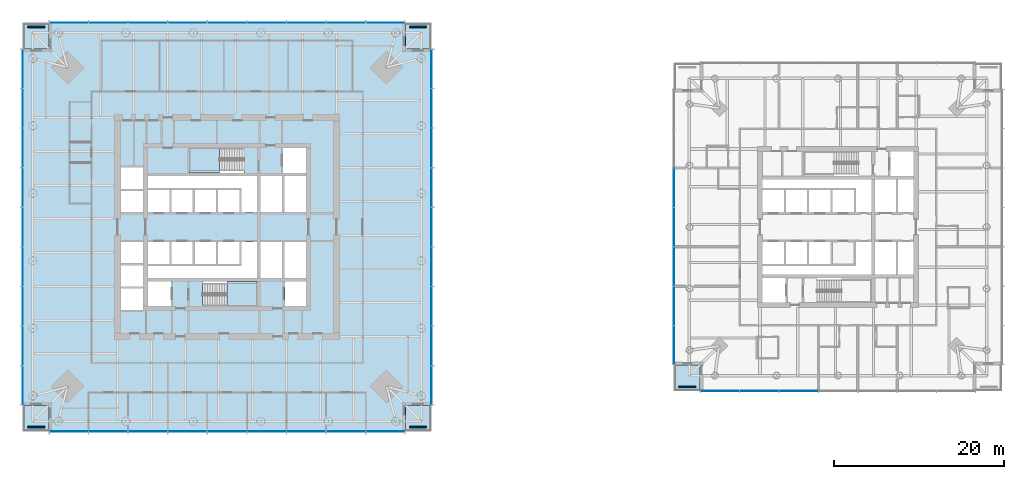
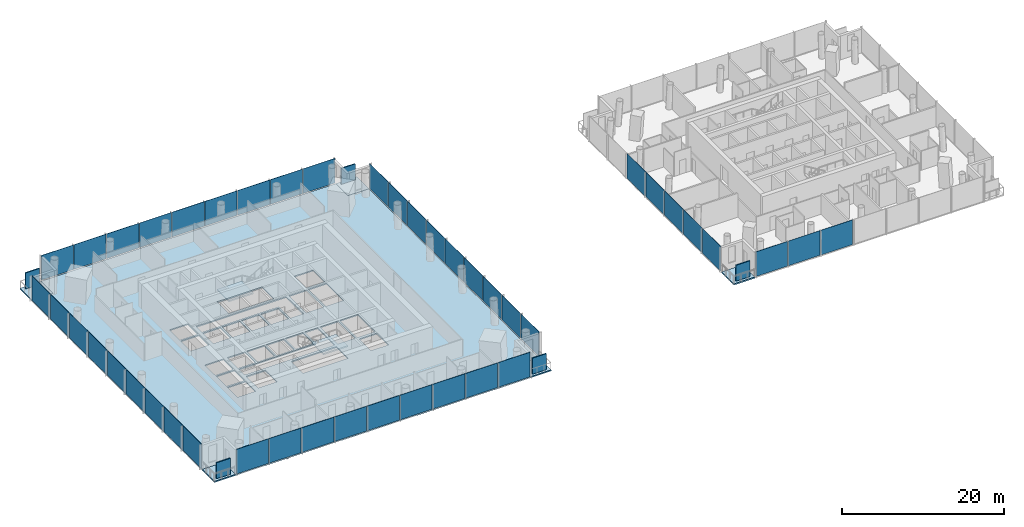
# One storey, part 6 of 18: 49 plates, 8 slabs, 8 elements without a shape of their own.
"""IFC4 building model written with IfcOpenShell, lengths in metres."""

from ifc_helpers import new_model, si_unit, direction, frame, origin, origin_2d, place, context, subcontext, project, spatial, polyline, rectangle, outline, extrude, material, layer, layer_set, type_object, element, aggregate, save


model = new_model("IFC4")

# Units and contexts
model_context = context("Model", 3, precision=1e-05, world=origin(), true_north=direction((0.0, 1.0)))
body_context = subcontext(model_context, "Body", "Model", "MODEL_VIEW")
ifc_project = project(units=[si_unit("LENGTHUNIT", "METRE"), si_unit("AREAUNIT", "SQUARE_METRE"), si_unit("VOLUMEUNIT", "CUBIC_METRE"), si_unit("PLANEANGLEUNIT", "RADIAN"), si_unit("MASSUNIT", "GRAM", prefix="KILO")], contexts=[model_context])

# Site, building, storey
site_placement = place(None, origin())
site = spatial("IfcSite", under=ifc_project, at=site_placement, CompositionType="ELEMENT")
building_placement = place(site_placement, origin())
building = spatial("IfcBuilding", under=site, at=building_placement, Name="Ostroluk Exchange", CompositionType="ELEMENT")
storey_placement = place(building_placement, frame((0.0, 0.0, 55.199951171875)))
storey = spatial("IfcBuildingStorey", under=building, at=storey_placement, Name="L13", CompositionType="ELEMENT", Elevation=55.199951171875)

# Curtain wall, plates
ifc_material_1 = material(Name="Laminated clear glass", Category="glass")
curtain_wall_type_1 = type_object("IfcCurtainWallType", Name="Hotel guest floor facade", PredefinedType="USERDEFINED", material=ifc_material_1)
curtain_wall_1_placement = place(storey_placement, origin())
curtain_wall_1 = element("IfcCurtainWall", 1, at=curtain_wall_1_placement, inside=storey, type_object=curtain_wall_type_1, Name="Hotel tower south facade L13", ObjectType="UNITISED CURTAIN WALL", PredefinedType="USERDEFINED")
ifc_material_2 = material(Name="Laminated clear glass", Category="glass")
ifc_layer_1 = layer(ifc_material_2, 0.0400390625)
ifc_layer_set_1 = layer_set([ifc_layer_1], Name="Acoustic laminated glazing 40")
plate_type_1 = type_object("IfcPlateType", Name="Acoustic laminated glazing 40", PredefinedType="CURTAIN_PANEL", material=ifc_layer_set_1)
plate_1_placement = place(storey_placement, frame((103.09130859375, 26.675048828125, 0.080078125), z_axis=(0.0, 0.0, 1.0), x_axis=(1.0, 0.0, 0.0)))
plate_1 = element("IfcPlate", 2, at=plate_1_placement, type_object=plate_type_1, Name="CW-H1 panel 1.1", PredefinedType="CURTAIN_PANEL", context=body_context, shape_type="SweptSolid", body=[
    extrude(rectangle(XDim=4.52294921875, YDim=0.0400390625, at=origin_2d()), origin(), (0.0, 0.0, 1.0), 3.719970703125),
])
plate_2_placement = place(storey_placement, frame((107.71435546875, 26.675048828125, 0.080078125), z_axis=(0.0, 0.0, 1.0), x_axis=(1.0, 0.0, 0.0)))
plate_2 = element("IfcPlate", 3, at=plate_2_placement, type_object=plate_type_1, Name="CW-H1 panel 2.1", PredefinedType="CURTAIN_PANEL", context=body_context, shape_type="SweptSolid", body=[
    extrude(rectangle(XDim=4.562744140625, YDim=0.0400390625, at=origin_2d()), origin(), (0.0, 0.0, 1.0), 3.719970703125),
])
plate_3_placement = place(storey_placement, frame((112.357177734375, 26.675048828125, 0.080078125), z_axis=(0.0, 0.0, 1.0), x_axis=(1.0, 0.0, 0.0)))
plate_3 = element("IfcPlate", 4, at=plate_3_placement, type_object=plate_type_1, Name="CW-H1 panel 3.1", PredefinedType="CURTAIN_PANEL", context=body_context, shape_type="SweptSolid", body=[
    extrude(rectangle(XDim=4.562744140625, YDim=0.0400390625, at=origin_2d()), origin(), (0.0, 0.0, 1.0), 3.719970703125),
])
aggregate(curtain_wall_1, [plate_1, plate_2, plate_3])

curtain_wall_2_placement = place(storey_placement, origin())
curtain_wall_2 = element("IfcCurtainWall", 5, at=curtain_wall_2_placement, inside=storey, type_object=curtain_wall_type_1, Name="Hotel tower west facade L13", ObjectType="UNITISED CURTAIN WALL", PredefinedType="USERDEFINED")
plate_4_placement = place(storey_placement, frame((97.675048828125, 50.642822265625, 0.080078125), z_axis=(0.0, 0.0, 1.0), x_axis=(0.0, -1.0, 0.0)))
plate_4 = element("IfcPlate", 6, at=plate_4_placement, type_object=plate_type_1, Name="CW-H1 panel 3.1", PredefinedType="CURTAIN_PANEL", context=body_context, shape_type="SweptSolid", body=[
    extrude(rectangle(XDim=4.562744140625, YDim=0.0400390625, at=origin_2d()), origin(), (0.0, 0.0, 1.0), 3.719970703125),
])
plate_5_placement = place(storey_placement, frame((97.675048828125, 46.0, 0.080078125), z_axis=(0.0, 0.0, 1.0), x_axis=(0.0, -1.0, 0.0)))
plate_5 = element("IfcPlate", 7, at=plate_5_placement, type_object=plate_type_1, Name="CW-H1 panel 4.1", PredefinedType="CURTAIN_PANEL", context=body_context, shape_type="SweptSolid", body=[
    extrude(rectangle(XDim=4.562744140625, YDim=0.0400390625, at=origin_2d()), origin(), (0.0, 0.0, 1.0), 3.719970703125),
])
plate_6_placement = place(storey_placement, frame((97.675048828125, 41.357177734375, 0.080078125), z_axis=(0.0, 0.0, 1.0), x_axis=(0.0, -1.0, 0.0)))
plate_6 = element("IfcPlate", 8, at=plate_6_placement, type_object=plate_type_1, Name="CW-H1 panel 5.1", PredefinedType="CURTAIN_PANEL", context=body_context, shape_type="SweptSolid", body=[
    extrude(rectangle(XDim=4.562744140625, YDim=0.0400390625, at=origin_2d()), origin(), (0.0, 0.0, 1.0), 3.719970703125),
])
plate_7_placement = place(storey_placement, frame((97.675048828125, 36.71435546875, 0.080078125), z_axis=(0.0, 0.0, 1.0), x_axis=(0.0, -1.0, 0.0)))
plate_7 = element("IfcPlate", 9, at=plate_7_placement, type_object=plate_type_1, Name="CW-H1 panel 6.1", PredefinedType="CURTAIN_PANEL", context=body_context, shape_type="SweptSolid", body=[
    extrude(rectangle(XDim=4.562744140625, YDim=0.0400390625, at=origin_2d()), origin(), (0.0, 0.0, 1.0), 3.719970703125),
])
plate_8_placement = place(storey_placement, frame((97.675048828125, 32.09130859375, 0.080078125), z_axis=(0.0, 0.0, 1.0), x_axis=(0.0, -1.0, 0.0)))
plate_8 = element("IfcPlate", 10, at=plate_8_placement, type_object=plate_type_1, Name="CW-H1 panel 7.1", PredefinedType="CURTAIN_PANEL", context=body_context, shape_type="SweptSolid", body=[
    extrude(rectangle(XDim=4.52294921875, YDim=0.0400390625, at=origin_2d()), origin(), (0.0, 0.0, 1.0), 3.719970703125),
])
aggregate(curtain_wall_2, [plate_4, plate_5, plate_6, plate_7, plate_8])

# Slabs
ifc_material_3 = material(Name="Concrete C35/45", Category="concrete")
ifc_layer_2 = layer(ifc_material_3, 0.179931640625)
ifc_layer_set_2 = layer_set([ifc_layer_2], Name="Balcony slab 180")
slab_type_1 = type_object("IfcSlabType", Name="Balcony slab 180", PredefinedType="USERDEFINED", material=ifc_layer_set_2)
slab_1_placement = place(storey_placement, frame((0.0, 0.0, -0.179931640625)))
element("IfcSlab", 11, at=slab_1_placement, inside=storey, type_object=slab_type_1, Name="Office tower SE corner balcony L13", ObjectType="BALCONY", PredefinedType="USERDEFINED", context=body_context, shape_type="SweptSolid", body=[
    extrude(outline(polyline([(66.0, 22.0), (69.0, 22.0), (69.0, 25.0), (66.0, 25.0), (66.0, 22.0)])), origin(), (0.0, 0.0, 1.0), 0.179931640625),
])
slab_2_placement = place(storey_placement, frame((0.0, 0.0, -0.179931640625)))
element("IfcSlab", 12, at=slab_2_placement, inside=storey, type_object=slab_type_1, Name="Office tower NE corner balcony L13", ObjectType="BALCONY", PredefinedType="USERDEFINED", context=body_context, shape_type="SweptSolid", body=[
    extrude(outline(polyline([(66.0, 67.0), (69.0, 67.0), (69.0, 70.0), (66.0, 70.0), (66.0, 67.0)])), origin(), (0.0, 0.0, 1.0), 0.179931640625),
])
slab_3_placement = place(storey_placement, frame((0.0, 0.0, -0.179931640625)))
element("IfcSlab", 13, at=slab_3_placement, inside=storey, type_object=slab_type_1, Name="Office tower NW corner balcony L13", ObjectType="BALCONY", PredefinedType="USERDEFINED", context=body_context, shape_type="SweptSolid", body=[
    extrude(outline(polyline([(21.0, 67.0), (24.0, 67.0), (24.0, 70.0), (21.0, 70.0), (21.0, 67.0)])), origin(), (0.0, 0.0, 1.0), 0.179931640625),
])
slab_4_placement = place(storey_placement, frame((0.0, 0.0, -0.179931640625)))
element("IfcSlab", 14, at=slab_4_placement, inside=storey, type_object=slab_type_1, Name="Office tower SW corner balcony L13", ObjectType="BALCONY", PredefinedType="USERDEFINED", context=body_context, shape_type="SweptSolid", body=[
    extrude(outline(polyline([(21.0, 22.0), (24.0, 22.0), (24.0, 25.0), (21.0, 25.0), (21.0, 22.0)])), origin(), (0.0, 0.0, 1.0), 0.179931640625),
])
ifc_material_4 = material(Name="Concrete C35/45", Category="concrete")
ifc_layer_3 = layer(ifc_material_4, 0.199951171875)
ifc_layer_set_3 = layer_set([ifc_layer_3], Name="Balcony slab 200")
slab_type_2 = type_object("IfcSlabType", Name="Balcony slab 200", PredefinedType="USERDEFINED", material=ifc_layer_set_3)
slab_5_placement = place(storey_placement, frame((0.0, 0.0, -0.199951171875)))
element("IfcSlab", 15, at=slab_5_placement, inside=storey, type_object=slab_type_2, Name="Hotel tower SW corner balcony L13", ObjectType="BALCONY", PredefinedType="USERDEFINED", context=body_context, shape_type="SweptSolid", body=[
    extrude(outline(polyline([(97.75, 26.75), (100.75, 26.75), (100.75, 29.75), (97.75, 29.75), (97.75, 26.75)])), origin(), (0.0, 0.0, 1.0), 0.199951171875),
])

# Plates
ifc_material_5 = material(Name="Steel S355 trellis with planting", Category="steel")
ifc_layer_4 = layer(ifc_material_5, 0.14990234375)
ifc_layer_set_4 = layer_set([ifc_layer_4], Name="Planted screen 150")
plate_type_2 = type_object("IfcPlateType", Name="Planted screen 150", PredefinedType="USERDEFINED", material=ifc_layer_set_4)
for number, where, z_axis, x_axis, name in (
    (16, (67.5, 22.425048828125, 0.0), (0.0, 0.0, 1.0), (1.0, 0.0, 0.0), "Office tower SE planted screen L13"),
    (17, (67.5, 69.574951171875, 0.0), (0.0, 0.0, 1.0), (1.0, 0.0, 0.0), "Office tower NE planted screen L13"),
    (18, (22.5, 69.574951171875, 0.0), (0.0, 0.0, 1.0), (1.0, 0.0, 0.0), "Office tower NW planted screen L13"),
    (19, (22.5, 22.425048828125, 0.0), (0.0, 0.0, 1.0), (1.0, 0.0, 0.0), "Office tower SW planted screen L13"),
    (20, (99.25, 27.175048828125, 0.0), (0.0, 0.0, 1.0), (1.0, 0.0, 0.0), "Hotel tower SW planted screen L13"),
):
    element("IfcPlate", number, at=place(storey_placement, frame(where, z_axis=z_axis, x_axis=x_axis)), inside=storey, type_object=plate_type_2, Name=name, ObjectType="PLANTED SCREEN", PredefinedType="USERDEFINED", context=body_context, shape_type="SweptSolid", body=[
        extrude(rectangle(XDim=2.0, YDim=0.14990234375, at=origin_2d()), origin(), (0.0, 0.0, 1.0), 2.39990234375),
    ])

# Stair, slab
ifc_material_6 = material(Name="Concrete C30/37", Category="concrete")
stair_type = type_object("IfcStairType", Name="Exit stair half turn 3800", PredefinedType="HALF_TURN_STAIR", material=ifc_material_6)
stair_1_placement = place(storey_placement, origin())
stair_1 = element("IfcStair", 21, at=stair_1_placement, inside=storey, type_object=stair_type, Name="Stair T1-S1 L13", PredefinedType="HALF_TURN_STAIR")
ifc_material_7 = material(Name="Concrete C30/37", Category="concrete")
ifc_layer_5 = layer(ifc_material_7, 0.199951171875)
ifc_layer_set_5 = layer_set([ifc_layer_5], Name="Stair landing 200")
slab_type_3 = type_object("IfcSlabType", Name="Stair landing 200", PredefinedType="LANDING", material=ifc_layer_set_5)
slab_6_placement = place(storey_placement, frame((0.0, 0.0, 1.699951171875)))
slab_6 = element("IfcSlab", 22, at=slab_6_placement, type_object=slab_type_3, Name="T1-S1 landing 1", PredefinedType="LANDING", context=body_context, shape_type="SweptSolid", body=[
    extrude(outline(polyline([(45.0, 36.699951171875), (45.0, 39.60009765625), (48.530029296875, 39.60009765625), (48.530029296875, 36.699951171875), (45.0, 36.699951171875)])), origin(), (0.0, 0.0, 1.0), 0.2001953125),
])
aggregate(stair_1, [slab_6])

stair_2_placement = place(storey_placement, origin())
stair_2 = element("IfcStair", 23, at=stair_2_placement, inside=storey, type_object=stair_type, Name="Stair T1-S2 L13", PredefinedType="HALF_TURN_STAIR")
slab_7_placement = place(storey_placement, frame((0.0, 0.0, 1.699951171875)))
slab_7 = element("IfcSlab", 24, at=slab_7_placement, type_object=slab_type_3, Name="T1-S2 landing 1", PredefinedType="LANDING", context=body_context, shape_type="SweptSolid", body=[
    extrude(outline(polyline([(44.1298828125, 52.39990234375), (44.1298828125, 55.300048828125), (40.60009765625, 55.300048828125), (40.60009765625, 52.39990234375), (44.1298828125, 52.39990234375)])), origin(), (0.0, 0.0, 1.0), 0.2001953125),
])
aggregate(stair_2, [slab_7])

# Slab
ifc_material_8 = material(Name="Concrete C35/45", Category="concrete")
ifc_layer_6 = layer(ifc_material_8, 0.179931640625)
ifc_layer_set_6 = layer_set([ifc_layer_6], Name="Tower floor slab 180 composite")
slab_type_4 = type_object("IfcSlabType", Name="Tower floor slab 180 composite", PredefinedType="FLOOR", material=ifc_layer_set_6)
slab_8_placement = place(storey_placement, frame((0.0, 0.0, -0.179931640625)))
element("IfcSlab", 25, at=slab_8_placement, inside=storey, type_object=slab_type_4, Name="Office tower floor slab L13", PredefinedType="FLOOR", context=body_context, shape_type="SweptSolid", body=[
    extrude(outline(polyline([(24.0, 22.0), (66.0, 22.0), (66.0, 25.0), (69.0, 25.0), (69.0, 67.0), (66.0, 67.0), (66.0, 70.0), (24.0, 70.0), (24.0, 67.0), (21.0, 67.0), (21.0, 25.0), (24.0, 25.0), (24.0, 22.0)]), holes=[polyline([(35.699951171875, 36.699951171875), (38.39990234375, 36.699951171875), (38.39990234375, 39.60009765625), (35.699951171875, 39.60009765625), (35.699951171875, 36.699951171875)]), polyline([(42.110107421875, 36.699951171875), (48.530029296875, 36.699951171875), (48.530029296875, 39.60009765625), (42.110107421875, 39.60009765625), (42.110107421875, 36.699951171875)]), polyline([(51.800048828125, 36.699951171875), (54.300048828125, 36.699951171875), (54.300048828125, 39.60009765625), (51.800048828125, 39.60009765625), (51.800048828125, 36.699951171875)]), polyline([(40.60009765625, 52.39990234375), (47.02001953125, 52.39990234375), (47.02001953125, 55.300048828125), (40.60009765625, 55.300048828125), (40.60009765625, 52.39990234375)]), polyline([(51.60009765625, 52.39990234375), (54.300048828125, 52.39990234375), (54.300048828125, 55.300048828125), (51.60009765625, 55.300048828125), (51.60009765625, 52.39990234375)]), polyline([(35.699951171875, 47.75), (38.199951171875, 47.75), (38.199951171875, 50.35009765625), (35.699951171875, 50.35009765625), (35.699951171875, 47.75)]), polyline([(38.449951171875, 47.75), (40.949951171875, 47.75), (40.949951171875, 50.35009765625), (38.449951171875, 50.35009765625), (38.449951171875, 47.75)]), polyline([(41.199951171875, 47.75), (43.699951171875, 47.75), (43.699951171875, 50.35009765625), (41.199951171875, 50.35009765625), (41.199951171875, 47.75)]), polyline([(43.949951171875, 47.75), (46.449951171875, 47.75), (46.449951171875, 50.35009765625), (43.949951171875, 50.35009765625), (43.949951171875, 47.75)]), polyline([(35.699951171875, 41.64990234375), (38.199951171875, 41.64990234375), (38.199951171875, 44.25), (35.699951171875, 44.25), (35.699951171875, 41.64990234375)]), polyline([(38.449951171875, 41.64990234375), (40.949951171875, 41.64990234375), (40.949951171875, 44.25), (38.449951171875, 44.25), (38.449951171875, 41.64990234375)]), polyline([(41.199951171875, 41.64990234375), (43.699951171875, 41.64990234375), (43.699951171875, 44.25), (41.199951171875, 44.25), (41.199951171875, 41.64990234375)]), polyline([(43.949951171875, 41.64990234375), (46.449951171875, 41.64990234375), (46.449951171875, 44.25), (43.949951171875, 44.25), (43.949951171875, 41.64990234375)]), polyline([(48.929931640625, 47.75), (51.489990234375, 47.75), (51.489990234375, 52.0), (48.929931640625, 52.0), (48.929931640625, 47.75)]), polyline([(51.739990234375, 47.75), (54.300048828125, 47.75), (54.300048828125, 52.0), (51.739990234375, 52.0), (51.739990234375, 47.75)]), polyline([(48.929931640625, 40.0), (51.489990234375, 40.0), (51.489990234375, 44.25), (48.929931640625, 44.25), (48.929931640625, 40.0)]), polyline([(51.739990234375, 40.0), (54.300048828125, 40.0), (54.300048828125, 44.25), (51.739990234375, 44.25), (51.739990234375, 40.0)]), polyline([(48.530029296875, 52.0), (48.530029296875, 47.75), (46.699951171875, 47.75), (46.699951171875, 50.60009765625), (35.699951171875, 50.60009765625), (35.699951171875, 52.0), (48.530029296875, 52.0)]), polyline([(35.699951171875, 40.0), (35.699951171875, 41.39990234375), (46.699951171875, 41.39990234375), (46.699951171875, 44.25), (48.530029296875, 44.25), (48.530029296875, 40.0), (35.699951171875, 40.0)]), polyline([(32.5, 36.25), (35.10009765625, 36.25), (35.10009765625, 38.75), (32.5, 38.75), (32.5, 36.25)]), polyline([(32.5, 39.0), (35.10009765625, 39.0), (35.10009765625, 41.5), (32.5, 41.5), (32.5, 39.0)]), polyline([(32.5, 41.75), (35.10009765625, 41.75), (35.10009765625, 44.25), (32.5, 44.25), (32.5, 41.75)]), polyline([(32.5, 47.75), (35.10009765625, 47.75), (35.10009765625, 50.25), (32.5, 50.25), (32.5, 47.75)]), polyline([(32.5, 50.5), (35.10009765625, 50.5), (35.10009765625, 53.0), (32.5, 53.0), (32.5, 50.5)])]), origin(), (0.0, 0.0, 1.0), 0.179931640625),
])

# Curtain wall, plates
ifc_material_9 = material(Name="Laminated clear glass", Category="glass")
curtain_wall_type_2 = type_object("IfcCurtainWallType", Name="Office tower facade", PredefinedType="USERDEFINED", material=ifc_material_9)
curtain_wall_3_placement = place(storey_placement, origin())
curtain_wall_3 = element("IfcCurtainWall", 26, at=curtain_wall_3_placement, inside=storey, type_object=curtain_wall_type_2, Name="Office tower south facade L13", ObjectType="UNITISED CURTAIN WALL", PredefinedType="USERDEFINED")
ifc_material_10 = material(Name="Laminated clear glass", Category="glass")
ifc_layer_7 = layer(ifc_material_10, 0.0439453125)
ifc_layer_set_7 = layer_set([ifc_layer_7], Name="Triple laminated clear glazing 44")
plate_type_3 = type_object("IfcPlateType", Name="Triple laminated clear glazing 44", PredefinedType="CURTAIN_PANEL", material=ifc_layer_set_7)
plate_9_placement = place(storey_placement, frame((26.353271484375, 21.925048828125, 0.080078125), z_axis=(0.0, 0.0, 1.0), x_axis=(1.0, 0.0, 0.0)))
plate_9 = element("IfcPlate", 27, at=plate_9_placement, type_object=plate_type_3, Name="CW-O1 panel 1.1", PredefinedType="CURTAIN_PANEL", context=body_context, shape_type="SweptSolid", body=[
    extrude(rectangle(XDim=4.546630859375, YDim=0.0439453125, at=origin_2d()), origin(), (0.0, 0.0, 1.0), 3.719970703125),
])
plate_10_placement = place(storey_placement, frame((31.0, 21.925048828125, 0.080078125), z_axis=(0.0, 0.0, 1.0), x_axis=(1.0, 0.0, 0.0)))
plate_10 = element("IfcPlate", 28, at=plate_10_placement, type_object=plate_type_3, Name="CW-O1 panel 2.1", PredefinedType="CURTAIN_PANEL", context=body_context, shape_type="SweptSolid", body=[
    extrude(rectangle(XDim=4.586669921875, YDim=0.0439453125, at=origin_2d()), origin(), (0.0, 0.0, 1.0), 3.719970703125),
])
plate_11_placement = place(storey_placement, frame((35.666748046875, 21.925048828125, 0.080078125), z_axis=(0.0, 0.0, 1.0), x_axis=(1.0, 0.0, 0.0)))
plate_11 = element("IfcPlate", 29, at=plate_11_placement, type_object=plate_type_3, Name="CW-O1 panel 3.1", PredefinedType="CURTAIN_PANEL", context=body_context, shape_type="SweptSolid", body=[
    extrude(rectangle(XDim=4.586669921875, YDim=0.0439453125, at=origin_2d()), origin(), (0.0, 0.0, 1.0), 3.719970703125),
])
plate_12_placement = place(storey_placement, frame((40.333251953125, 21.925048828125, 0.080078125), z_axis=(0.0, 0.0, 1.0), x_axis=(1.0, 0.0, 0.0)))
plate_12 = element("IfcPlate", 30, at=plate_12_placement, type_object=plate_type_3, Name="CW-O1 panel 4.1", PredefinedType="CURTAIN_PANEL", context=body_context, shape_type="SweptSolid", body=[
    extrude(rectangle(XDim=4.586669921875, YDim=0.0439453125, at=origin_2d()), origin(), (0.0, 0.0, 1.0), 3.719970703125),
])
plate_13_placement = place(storey_placement, frame((45.0, 21.925048828125, 0.080078125), z_axis=(0.0, 0.0, 1.0), x_axis=(1.0, 0.0, 0.0)))
plate_13 = element("IfcPlate", 31, at=plate_13_placement, type_object=plate_type_3, Name="CW-O1 panel 5.1", PredefinedType="CURTAIN_PANEL", context=body_context, shape_type="SweptSolid", body=[
    extrude(rectangle(XDim=4.586669921875, YDim=0.0439453125, at=origin_2d()), origin(), (0.0, 0.0, 1.0), 3.719970703125),
])
plate_14_placement = place(storey_placement, frame((49.666748046875, 21.925048828125, 0.080078125), z_axis=(0.0, 0.0, 1.0), x_axis=(1.0, 0.0, 0.0)))
plate_14 = element("IfcPlate", 32, at=plate_14_placement, type_object=plate_type_3, Name="CW-O1 panel 6.1", PredefinedType="CURTAIN_PANEL", context=body_context, shape_type="SweptSolid", body=[
    extrude(rectangle(XDim=4.586669921875, YDim=0.0439453125, at=origin_2d()), origin(), (0.0, 0.0, 1.0), 3.719970703125),
])
plate_15_placement = place(storey_placement, frame((54.333251953125, 21.925048828125, 0.080078125), z_axis=(0.0, 0.0, 1.0), x_axis=(1.0, 0.0, 0.0)))
plate_15 = element("IfcPlate", 33, at=plate_15_placement, type_object=plate_type_3, Name="CW-O1 panel 7.1", PredefinedType="CURTAIN_PANEL", context=body_context, shape_type="SweptSolid", body=[
    extrude(rectangle(XDim=4.586669921875, YDim=0.0439453125, at=origin_2d()), origin(), (0.0, 0.0, 1.0), 3.719970703125),
])
plate_16_placement = place(storey_placement, frame((59.0, 21.925048828125, 0.080078125), z_axis=(0.0, 0.0, 1.0), x_axis=(1.0, 0.0, 0.0)))
plate_16 = element("IfcPlate", 34, at=plate_16_placement, type_object=plate_type_3, Name="CW-O1 panel 8.1", PredefinedType="CURTAIN_PANEL", context=body_context, shape_type="SweptSolid", body=[
    extrude(rectangle(XDim=4.586669921875, YDim=0.0439453125, at=origin_2d()), origin(), (0.0, 0.0, 1.0), 3.719970703125),
])
plate_17_placement = place(storey_placement, frame((63.646728515625, 21.925048828125, 0.080078125), z_axis=(0.0, 0.0, 1.0), x_axis=(1.0, 0.0, 0.0)))
plate_17 = element("IfcPlate", 35, at=plate_17_placement, type_object=plate_type_3, Name="CW-O1 panel 9.1", PredefinedType="CURTAIN_PANEL", context=body_context, shape_type="SweptSolid", body=[
    extrude(rectangle(XDim=4.546630859375, YDim=0.0439453125, at=origin_2d()), origin(), (0.0, 0.0, 1.0), 3.719970703125),
])
aggregate(curtain_wall_3, [plate_9, plate_10, plate_11, plate_12, plate_13, plate_14, plate_15, plate_16, plate_17])

curtain_wall_4_placement = place(storey_placement, origin())
curtain_wall_4 = element("IfcCurtainWall", 36, at=curtain_wall_4_placement, inside=storey, type_object=curtain_wall_type_2, Name="Office tower east facade L13", ObjectType="UNITISED CURTAIN WALL", PredefinedType="USERDEFINED")
plate_18_placement = place(storey_placement, frame((69.074951171875, 27.353271484375, 0.080078125), z_axis=(0.0, 0.0, 1.0), x_axis=(0.0, 1.0, 0.0)))
plate_18 = element("IfcPlate", 37, at=plate_18_placement, type_object=plate_type_3, Name="CW-O1 panel 1.1", PredefinedType="CURTAIN_PANEL", context=body_context, shape_type="SweptSolid", body=[
    extrude(rectangle(XDim=4.546630859375, YDim=0.0439453125, at=origin_2d()), origin(), (0.0, 0.0, 1.0), 3.719970703125),
])
plate_19_placement = place(storey_placement, frame((69.074951171875, 32.0, 0.080078125), z_axis=(0.0, 0.0, 1.0), x_axis=(0.0, 1.0, 0.0)))
plate_19 = element("IfcPlate", 38, at=plate_19_placement, type_object=plate_type_3, Name="CW-O1 panel 2.1", PredefinedType="CURTAIN_PANEL", context=body_context, shape_type="SweptSolid", body=[
    extrude(rectangle(XDim=4.586669921875, YDim=0.0439453125, at=origin_2d()), origin(), (0.0, 0.0, 1.0), 3.719970703125),
])
plate_20_placement = place(storey_placement, frame((69.074951171875, 36.666748046875, 0.080078125), z_axis=(0.0, 0.0, 1.0), x_axis=(0.0, 1.0, 0.0)))
plate_20 = element("IfcPlate", 39, at=plate_20_placement, type_object=plate_type_3, Name="CW-O1 panel 3.1", PredefinedType="CURTAIN_PANEL", context=body_context, shape_type="SweptSolid", body=[
    extrude(rectangle(XDim=4.586669921875, YDim=0.0439453125, at=origin_2d()), origin(), (0.0, 0.0, 1.0), 3.719970703125),
])
plate_21_placement = place(storey_placement, frame((69.074951171875, 41.333251953125, 0.080078125), z_axis=(0.0, 0.0, 1.0), x_axis=(0.0, 1.0, 0.0)))
plate_21 = element("IfcPlate", 40, at=plate_21_placement, type_object=plate_type_3, Name="CW-O1 panel 4.1", PredefinedType="CURTAIN_PANEL", context=body_context, shape_type="SweptSolid", body=[
    extrude(rectangle(XDim=4.586669921875, YDim=0.0439453125, at=origin_2d()), origin(), (0.0, 0.0, 1.0), 3.719970703125),
])
plate_22_placement = place(storey_placement, frame((69.074951171875, 46.0, 0.080078125), z_axis=(0.0, 0.0, 1.0), x_axis=(0.0, 1.0, 0.0)))
plate_22 = element("IfcPlate", 41, at=plate_22_placement, type_object=plate_type_3, Name="CW-O1 panel 5.1", PredefinedType="CURTAIN_PANEL", context=body_context, shape_type="SweptSolid", body=[
    extrude(rectangle(XDim=4.586669921875, YDim=0.0439453125, at=origin_2d()), origin(), (0.0, 0.0, 1.0), 3.719970703125),
])
plate_23_placement = place(storey_placement, frame((69.074951171875, 50.666748046875, 0.080078125), z_axis=(0.0, 0.0, 1.0), x_axis=(0.0, 1.0, 0.0)))
plate_23 = element("IfcPlate", 42, at=plate_23_placement, type_object=plate_type_3, Name="CW-O1 panel 6.1", PredefinedType="CURTAIN_PANEL", context=body_context, shape_type="SweptSolid", body=[
    extrude(rectangle(XDim=4.586669921875, YDim=0.0439453125, at=origin_2d()), origin(), (0.0, 0.0, 1.0), 3.719970703125),
])
plate_24_placement = place(storey_placement, frame((69.074951171875, 55.333251953125, 0.080078125), z_axis=(0.0, 0.0, 1.0), x_axis=(0.0, 1.0, 0.0)))
plate_24 = element("IfcPlate", 43, at=plate_24_placement, type_object=plate_type_3, Name="CW-O1 panel 7.1", PredefinedType="CURTAIN_PANEL", context=body_context, shape_type="SweptSolid", body=[
    extrude(rectangle(XDim=4.586669921875, YDim=0.0439453125, at=origin_2d()), origin(), (0.0, 0.0, 1.0), 3.719970703125),
])
plate_25_placement = place(storey_placement, frame((69.074951171875, 60.0, 0.080078125), z_axis=(0.0, 0.0, 1.0), x_axis=(0.0, 1.0, 0.0)))
plate_25 = element("IfcPlate", 44, at=plate_25_placement, type_object=plate_type_3, Name="CW-O1 panel 8.1", PredefinedType="CURTAIN_PANEL", context=body_context, shape_type="SweptSolid", body=[
    extrude(rectangle(XDim=4.586669921875, YDim=0.0439453125, at=origin_2d()), origin(), (0.0, 0.0, 1.0), 3.719970703125),
])
plate_26_placement = place(storey_placement, frame((69.074951171875, 64.646728515625, 0.080078125), z_axis=(0.0, 0.0, 1.0), x_axis=(0.0, 1.0, 0.0)))
plate_26 = element("IfcPlate", 45, at=plate_26_placement, type_object=plate_type_3, Name="CW-O1 panel 9.1", PredefinedType="CURTAIN_PANEL", context=body_context, shape_type="SweptSolid", body=[
    extrude(rectangle(XDim=4.546630859375, YDim=0.0439453125, at=origin_2d()), origin(), (0.0, 0.0, 1.0), 3.719970703125),
])
aggregate(curtain_wall_4, [plate_18, plate_19, plate_20, plate_21, plate_22, plate_23, plate_24, plate_25, plate_26])

curtain_wall_5_placement = place(storey_placement, origin())
curtain_wall_5 = element("IfcCurtainWall", 46, at=curtain_wall_5_placement, inside=storey, type_object=curtain_wall_type_2, Name="Office tower north facade L13", ObjectType="UNITISED CURTAIN WALL", PredefinedType="USERDEFINED")
plate_27_placement = place(storey_placement, frame((63.646728515625, 70.074951171875, 0.080078125), z_axis=(0.0, 0.0, 1.0), x_axis=(-1.0, 0.0, 0.0)))
plate_27 = element("IfcPlate", 47, at=plate_27_placement, type_object=plate_type_3, Name="CW-O1 panel 1.1", PredefinedType="CURTAIN_PANEL", context=body_context, shape_type="SweptSolid", body=[
    extrude(rectangle(XDim=4.546630859375, YDim=0.0439453125, at=origin_2d()), origin(), (0.0, 0.0, 1.0), 3.719970703125),
])
plate_28_placement = place(storey_placement, frame((59.0, 70.074951171875, 0.080078125), z_axis=(0.0, 0.0, 1.0), x_axis=(-1.0, 0.0, 0.0)))
plate_28 = element("IfcPlate", 48, at=plate_28_placement, type_object=plate_type_3, Name="CW-O1 panel 2.1", PredefinedType="CURTAIN_PANEL", context=body_context, shape_type="SweptSolid", body=[
    extrude(rectangle(XDim=4.586669921875, YDim=0.0439453125, at=origin_2d()), origin(), (0.0, 0.0, 1.0), 3.719970703125),
])
plate_29_placement = place(storey_placement, frame((54.333251953125, 70.074951171875, 0.080078125), z_axis=(0.0, 0.0, 1.0), x_axis=(-1.0, 0.0, 0.0)))
plate_29 = element("IfcPlate", 49, at=plate_29_placement, type_object=plate_type_3, Name="CW-O1 panel 3.1", PredefinedType="CURTAIN_PANEL", context=body_context, shape_type="SweptSolid", body=[
    extrude(rectangle(XDim=4.586669921875, YDim=0.0439453125, at=origin_2d()), origin(), (0.0, 0.0, 1.0), 3.719970703125),
])
plate_30_placement = place(storey_placement, frame((49.666748046875, 70.074951171875, 0.080078125), z_axis=(0.0, 0.0, 1.0), x_axis=(-1.0, 0.0, 0.0)))
plate_30 = element("IfcPlate", 50, at=plate_30_placement, type_object=plate_type_3, Name="CW-O1 panel 4.1", PredefinedType="CURTAIN_PANEL", context=body_context, shape_type="SweptSolid", body=[
    extrude(rectangle(XDim=4.586669921875, YDim=0.0439453125, at=origin_2d()), origin(), (0.0, 0.0, 1.0), 3.719970703125),
])
plate_31_placement = place(storey_placement, frame((45.0, 70.074951171875, 0.080078125), z_axis=(0.0, 0.0, 1.0), x_axis=(-1.0, 0.0, 0.0)))
plate_31 = element("IfcPlate", 51, at=plate_31_placement, type_object=plate_type_3, Name="CW-O1 panel 5.1", PredefinedType="CURTAIN_PANEL", context=body_context, shape_type="SweptSolid", body=[
    extrude(rectangle(XDim=4.586669921875, YDim=0.0439453125, at=origin_2d()), origin(), (0.0, 0.0, 1.0), 3.719970703125),
])
plate_32_placement = place(storey_placement, frame((40.333251953125, 70.074951171875, 0.080078125), z_axis=(0.0, 0.0, 1.0), x_axis=(-1.0, 0.0, 0.0)))
plate_32 = element("IfcPlate", 52, at=plate_32_placement, type_object=plate_type_3, Name="CW-O1 panel 6.1", PredefinedType="CURTAIN_PANEL", context=body_context, shape_type="SweptSolid", body=[
    extrude(rectangle(XDim=4.586669921875, YDim=0.0439453125, at=origin_2d()), origin(), (0.0, 0.0, 1.0), 3.719970703125),
])
plate_33_placement = place(storey_placement, frame((35.666748046875, 70.074951171875, 0.080078125), z_axis=(0.0, 0.0, 1.0), x_axis=(-1.0, 0.0, 0.0)))
plate_33 = element("IfcPlate", 53, at=plate_33_placement, type_object=plate_type_3, Name="CW-O1 panel 7.1", PredefinedType="CURTAIN_PANEL", context=body_context, shape_type="SweptSolid", body=[
    extrude(rectangle(XDim=4.586669921875, YDim=0.0439453125, at=origin_2d()), origin(), (0.0, 0.0, 1.0), 3.719970703125),
])
plate_34_placement = place(storey_placement, frame((31.0, 70.074951171875, 0.080078125), z_axis=(0.0, 0.0, 1.0), x_axis=(-1.0, 0.0, 0.0)))
plate_34 = element("IfcPlate", 54, at=plate_34_placement, type_object=plate_type_3, Name="CW-O1 panel 8.1", PredefinedType="CURTAIN_PANEL", context=body_context, shape_type="SweptSolid", body=[
    extrude(rectangle(XDim=4.586669921875, YDim=0.0439453125, at=origin_2d()), origin(), (0.0, 0.0, 1.0), 3.719970703125),
])
plate_35_placement = place(storey_placement, frame((26.353271484375, 70.074951171875, 0.080078125), z_axis=(0.0, 0.0, 1.0), x_axis=(-1.0, 0.0, 0.0)))
plate_35 = element("IfcPlate", 55, at=plate_35_placement, type_object=plate_type_3, Name="CW-O1 panel 9.1", PredefinedType="CURTAIN_PANEL", context=body_context, shape_type="SweptSolid", body=[
    extrude(rectangle(XDim=4.546630859375, YDim=0.0439453125, at=origin_2d()), origin(), (0.0, 0.0, 1.0), 3.719970703125),
])
aggregate(curtain_wall_5, [plate_27, plate_28, plate_29, plate_30, plate_31, plate_32, plate_33, plate_34, plate_35])

curtain_wall_6_placement = place(storey_placement, origin())
curtain_wall_6 = element("IfcCurtainWall", 56, at=curtain_wall_6_placement, inside=storey, type_object=curtain_wall_type_2, Name="Office tower west facade L13", ObjectType="UNITISED CURTAIN WALL", PredefinedType="USERDEFINED")
plate_36_placement = place(storey_placement, frame((20.925048828125, 64.646728515625, 0.080078125), z_axis=(0.0, 0.0, 1.0), x_axis=(0.0, -1.0, 0.0)))
plate_36 = element("IfcPlate", 57, at=plate_36_placement, type_object=plate_type_3, Name="CW-O1 panel 1.1", PredefinedType="CURTAIN_PANEL", context=body_context, shape_type="SweptSolid", body=[
    extrude(rectangle(XDim=4.546630859375, YDim=0.0439453125, at=origin_2d()), origin(), (0.0, 0.0, 1.0), 3.719970703125),
])
plate_37_placement = place(storey_placement, frame((20.925048828125, 60.0, 0.080078125), z_axis=(0.0, 0.0, 1.0), x_axis=(0.0, -1.0, 0.0)))
plate_37 = element("IfcPlate", 58, at=plate_37_placement, type_object=plate_type_3, Name="CW-O1 panel 2.1", PredefinedType="CURTAIN_PANEL", context=body_context, shape_type="SweptSolid", body=[
    extrude(rectangle(XDim=4.586669921875, YDim=0.0439453125, at=origin_2d()), origin(), (0.0, 0.0, 1.0), 3.719970703125),
])
plate_38_placement = place(storey_placement, frame((20.925048828125, 55.333251953125, 0.080078125), z_axis=(0.0, 0.0, 1.0), x_axis=(0.0, -1.0, 0.0)))
plate_38 = element("IfcPlate", 59, at=plate_38_placement, type_object=plate_type_3, Name="CW-O1 panel 3.1", PredefinedType="CURTAIN_PANEL", context=body_context, shape_type="SweptSolid", body=[
    extrude(rectangle(XDim=4.586669921875, YDim=0.0439453125, at=origin_2d()), origin(), (0.0, 0.0, 1.0), 3.719970703125),
])
plate_39_placement = place(storey_placement, frame((20.925048828125, 50.666748046875, 0.080078125), z_axis=(0.0, 0.0, 1.0), x_axis=(0.0, -1.0, 0.0)))
plate_39 = element("IfcPlate", 60, at=plate_39_placement, type_object=plate_type_3, Name="CW-O1 panel 4.1", PredefinedType="CURTAIN_PANEL", context=body_context, shape_type="SweptSolid", body=[
    extrude(rectangle(XDim=4.586669921875, YDim=0.0439453125, at=origin_2d()), origin(), (0.0, 0.0, 1.0), 3.719970703125),
])
plate_40_placement = place(storey_placement, frame((20.925048828125, 46.0, 0.080078125), z_axis=(0.0, 0.0, 1.0), x_axis=(0.0, -1.0, 0.0)))
plate_40 = element("IfcPlate", 61, at=plate_40_placement, type_object=plate_type_3, Name="CW-O1 panel 5.1", PredefinedType="CURTAIN_PANEL", context=body_context, shape_type="SweptSolid", body=[
    extrude(rectangle(XDim=4.586669921875, YDim=0.0439453125, at=origin_2d()), origin(), (0.0, 0.0, 1.0), 3.719970703125),
])
plate_41_placement = place(storey_placement, frame((20.925048828125, 41.333251953125, 0.080078125), z_axis=(0.0, 0.0, 1.0), x_axis=(0.0, -1.0, 0.0)))
plate_41 = element("IfcPlate", 62, at=plate_41_placement, type_object=plate_type_3, Name="CW-O1 panel 6.1", PredefinedType="CURTAIN_PANEL", context=body_context, shape_type="SweptSolid", body=[
    extrude(rectangle(XDim=4.586669921875, YDim=0.0439453125, at=origin_2d()), origin(), (0.0, 0.0, 1.0), 3.719970703125),
])
plate_42_placement = place(storey_placement, frame((20.925048828125, 36.666748046875, 0.080078125), z_axis=(0.0, 0.0, 1.0), x_axis=(0.0, -1.0, 0.0)))
plate_42 = element("IfcPlate", 63, at=plate_42_placement, type_object=plate_type_3, Name="CW-O1 panel 7.1", PredefinedType="CURTAIN_PANEL", context=body_context, shape_type="SweptSolid", body=[
    extrude(rectangle(XDim=4.586669921875, YDim=0.0439453125, at=origin_2d()), origin(), (0.0, 0.0, 1.0), 3.719970703125),
])
plate_43_placement = place(storey_placement, frame((20.925048828125, 32.0, 0.080078125), z_axis=(0.0, 0.0, 1.0), x_axis=(0.0, -1.0, 0.0)))
plate_43 = element("IfcPlate", 64, at=plate_43_placement, type_object=plate_type_3, Name="CW-O1 panel 8.1", PredefinedType="CURTAIN_PANEL", context=body_context, shape_type="SweptSolid", body=[
    extrude(rectangle(XDim=4.586669921875, YDim=0.0439453125, at=origin_2d()), origin(), (0.0, 0.0, 1.0), 3.719970703125),
])
plate_44_placement = place(storey_placement, frame((20.925048828125, 27.353271484375, 0.080078125), z_axis=(0.0, 0.0, 1.0), x_axis=(0.0, -1.0, 0.0)))
plate_44 = element("IfcPlate", 65, at=plate_44_placement, type_object=plate_type_3, Name="CW-O1 panel 9.1", PredefinedType="CURTAIN_PANEL", context=body_context, shape_type="SweptSolid", body=[
    extrude(rectangle(XDim=4.546630859375, YDim=0.0439453125, at=origin_2d()), origin(), (0.0, 0.0, 1.0), 3.719970703125),
])
aggregate(curtain_wall_6, [plate_36, plate_37, plate_38, plate_39, plate_40, plate_41, plate_42, plate_43, plate_44])

save(model, "model.ifc")
